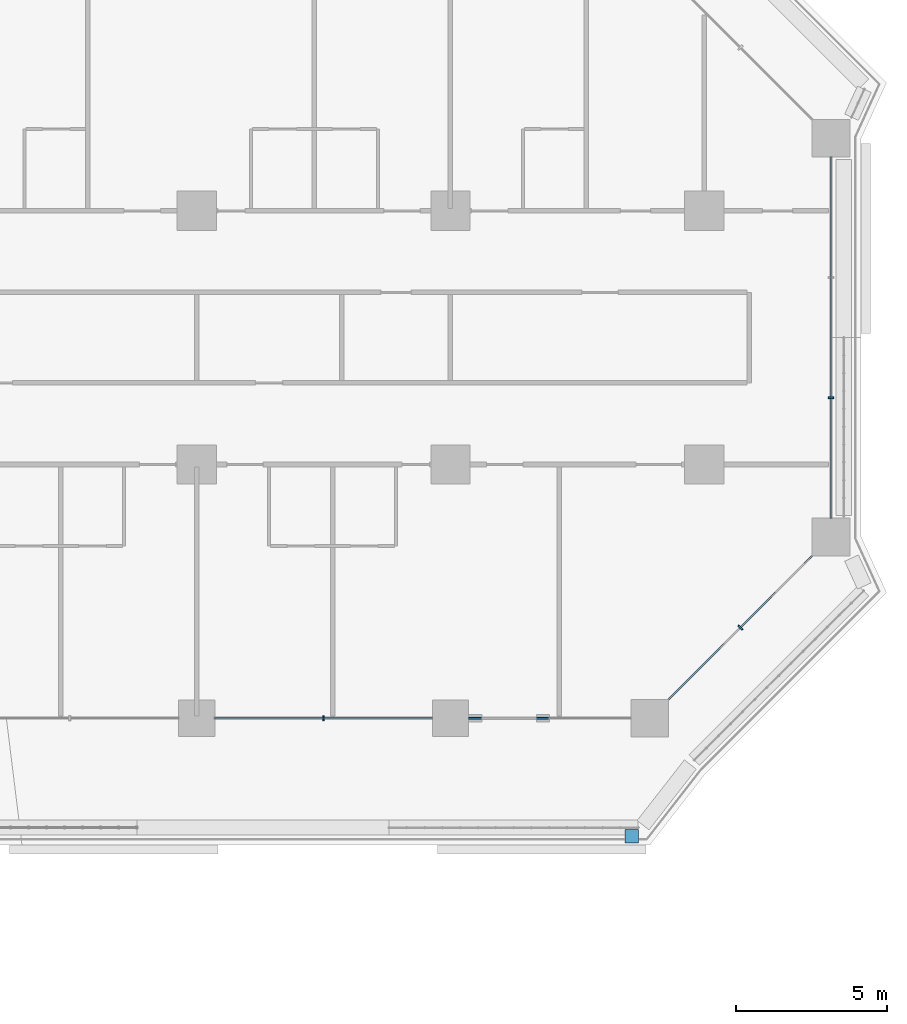
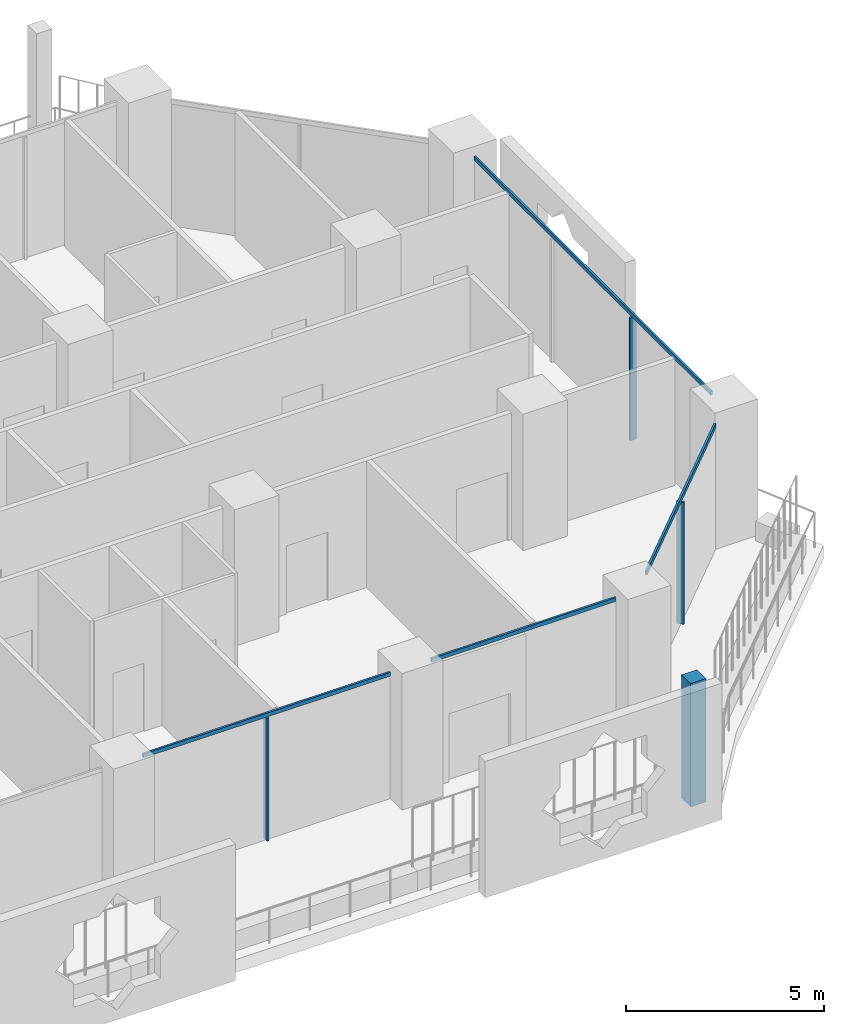
# One storey, part 7 of 28: 8 members, 4 elements without a shape of their own.
"""IFC4 building model written with IfcOpenShell, lengths in metres."""

from ifc_helpers import new_model, si_unit, direction, frame, origin, origin_2d, place, context, subcontext, project, spatial, rectangle, extrude, material, layer, layer_set, material_profile, profile_set, type_object, element, aggregate, save


model = new_model("IFC4")

# Units and contexts
model_context = context("Model", 3, precision=1e-05, world=origin(), true_north=direction((0.0, 1.0)))
body_context = subcontext(model_context, "Body", "Model", "MODEL_VIEW")
ifc_project = project(units=[si_unit("LENGTHUNIT", "METRE"), si_unit("AREAUNIT", "SQUARE_METRE"), si_unit("VOLUMEUNIT", "CUBIC_METRE"), si_unit("PLANEANGLEUNIT", "RADIAN"), si_unit("MASSUNIT", "GRAM", prefix="KILO")], contexts=[model_context])

# Site, building, storey
site_placement = place(None, origin())
site = spatial("IfcSite", under=ifc_project, at=site_placement, CompositionType="ELEMENT")
building_placement = place(site_placement, origin())
building = spatial("IfcBuilding", under=site, at=building_placement, Name="Kawkab Arch Medical Tower", CompositionType="ELEMENT")
storey_placement = place(building_placement, frame((0.0, 0.0, 77.0)))
storey = spatial("IfcBuildingStorey", under=building, at=storey_placement, Name="L17", CompositionType="ELEMENT", Elevation=77.0)

# Curtain wall, member
ifc_material_1 = material(Name="Bronze anodised aluminium curtain wall frame", Category="aluminium")
ifc_layer_1 = layer(ifc_material_1, 0.159912109375)
ifc_layer_set_1 = layer_set([ifc_layer_1], Name="Bronze anodised aluminium curtain wall frame")
curtain_wall_type_1 = type_object("IfcCurtainWallType", Name="CW1 ward curtain wall", PredefinedType="NOTDEFINED", material=ifc_layer_set_1)
placement = place(storey_placement, origin())
curtain_wall_1 = element("IfcCurtainWall", 1, at=placement, inside=storey, type_object=curtain_wall_type_1, Name="CW1 Ward curtain wall R07", PredefinedType="NOTDEFINED")
ifc_material_2 = material(Name="Bronze anodised aluminium curtain wall frame", Category="aluminium")
ifc_material_profile_1 = material_profile(ifc_material_2, rectangle(XDim=0.179931640625, YDim=0.06005859375, at=origin_2d()), Name="AL 60x180")
ifc_profile_set_1 = profile_set([ifc_material_profile_1], Name="Bronze anodised aluminium curtain wall frame")
member_type_1 = type_object("IfcMemberType", Name="CW1 mullion 60 x 180", PredefinedType="MULLION", material=ifc_profile_set_1)
member_1_placement = place(storey_placement, frame((63.0, -25.199951171875, 0.0), z_axis=(0.0, 0.0, 1.0), x_axis=(0.0, 1.0, 0.0)))
member_1 = element("IfcMember", 2, at=member_1_placement, type_object=member_type_1, Name="CW1 mullion 4.1", PredefinedType="MULLION", context=body_context, shape_type="SweptSolid", body=[
    extrude(rectangle(XDim=0.179931640625, YDim=0.06005859375, at=origin_2d()), origin(), (0.0, 0.0, 1.0), 3.780029296875),
])

curtain_wall_2 = element("IfcCurtainWall", 3, at=placement, inside=storey, type_object=curtain_wall_type_1, Name="CW1 Ward curtain wall R09", PredefinedType="NOTDEFINED")
member_2_placement = place(storey_placement, frame((79.800048828125, -14.591552734375, 0.0), z_axis=(0.0, 0.0, 1.0), x_axis=(-1.0, 0.0, 0.0)))
member_2 = element("IfcMember", 4, at=member_2_placement, type_object=member_type_1, Name="CW1 mullion 1.1", PredefinedType="MULLION", context=body_context, shape_type="SweptSolid", body=[
    extrude(rectangle(XDim=0.179931640625, YDim=0.06005859375, at=origin_2d()), origin(), (0.0, 0.0, 1.0), 3.780029296875),
])

# Member
ifc_material_3 = material(Name="Bronze anodised aluminium curtain wall frame", Category="aluminium")
ifc_material_profile_2 = material_profile(ifc_material_3, rectangle(XDim=0.06005859375, YDim=0.1201171875, at=origin_2d()), Name="AL 60x120")
ifc_profile_set_2 = profile_set([ifc_material_profile_2], Name="Bronze anodised aluminium curtain wall frame")
member_type_2 = type_object("IfcMemberType", Name="CW1 transom 120 x 60", PredefinedType="USERDEFINED", material=ifc_profile_set_2)
member_3_placement = place(storey_placement, frame((59.39990234375, -25.199951171875, 3.840087890625), z_axis=(1.0, 0.0, 0.0), x_axis=(0.0, 1.0, 0.0)))
member_3 = element("IfcMember", 5, at=member_3_placement, type_object=member_type_2, Name="CW1 transom 4", ObjectType="TRANSOM", PredefinedType="USERDEFINED", context=body_context, shape_type="SweptSolid", body=[
    extrude(rectangle(XDim=0.06005859375, YDim=0.1201171875, at=origin_2d()), origin(), (0.0, 0.0, 1.0), 7.2001953125),
])

member_4_placement = place(storey_placement, frame((67.800048828125, -25.199951171875, 3.840087890625), z_axis=(1.0, 0.0, 0.0), x_axis=(0.0, 1.0, 0.0)))
member_4 = element("IfcMember", 6, at=member_4_placement, type_object=member_type_2, Name="CW1 transom 5", ObjectType="TRANSOM", PredefinedType="USERDEFINED", context=body_context, shape_type="SweptSolid", body=[
    extrude(rectangle(XDim=0.06005859375, YDim=0.1201171875, at=origin_2d()), origin(), (0.0, 0.0, 1.0), 5.375),
])

aggregate(curtain_wall_1, [member_3, member_1, member_4])

member_5_placement = place(storey_placement, frame((79.800048828125, -18.574951171875, 3.840087890625), z_axis=(0.0, 1.0, 0.0), x_axis=(-1.0, 0.0, 0.0)))
member_5 = element("IfcMember", 7, at=member_5_placement, type_object=member_type_2, Name="CW1 transom 1", ObjectType="TRANSOM", PredefinedType="USERDEFINED", context=body_context, shape_type="SweptSolid", body=[
    extrude(rectangle(XDim=0.06005859375, YDim=0.1201171875, at=origin_2d()), origin(), (0.0, 0.0, 1.0), 11.949951171875),
])

aggregate(curtain_wall_2, [member_5, member_2])

# Curtain wall, members
ifc_material_4 = material(Name="Bronze anodised aluminium curtain wall frame", Category="aluminium")
ifc_layer_2 = layer(ifc_material_4, 0.159912109375)
ifc_layer_set_2 = layer_set([ifc_layer_2], Name="Bronze anodised aluminium curtain wall frame")
curtain_wall_type_2 = type_object("IfcCurtainWallType", Name="CW2 chamfer curtain wall", PredefinedType="NOTDEFINED", material=ifc_layer_set_2)
curtain_wall_3 = element("IfcCurtainWall", 8, at=placement, inside=storey, type_object=curtain_wall_type_2, Name="CW2 Chamfer curtain wall R08", PredefinedType="NOTDEFINED")
ifc_material_5 = material(Name="Bronze anodised aluminium curtain wall frame", Category="aluminium")
ifc_material_profile_3 = material_profile(ifc_material_5, rectangle(XDim=0.199951171875, YDim=0.06005859375, at=origin_2d()), Name="AL 60x200")
ifc_profile_set_3 = profile_set([ifc_material_profile_3], Name="Bronze anodised aluminium curtain wall frame")
member_type_3 = type_object("IfcMemberType", Name="CW2 mullion 60 x 200", PredefinedType="MULLION", material=ifc_profile_set_3)
member_6_placement = place(storey_placement, frame((76.800048828125, -22.199951171875, 0.0), z_axis=(0.0, 0.0, 1.0), x_axis=(-0.707106781187, 0.707106781187, 0.0)))
member_6 = element("IfcMember", 9, at=member_6_placement, type_object=member_type_3, Name="CW2 mullion 1.1", PredefinedType="MULLION", context=body_context, shape_type="SweptSolid", body=[
    extrude(rectangle(XDim=0.199951171875, YDim=0.06005859375, at=origin_2d()), origin(), (0.0, 0.0, 1.0), 3.760009765625),
])
ifc_material_6 = material(Name="Bronze anodised aluminium curtain wall frame", Category="aluminium")
ifc_material_profile_4 = material_profile(ifc_material_6, rectangle(XDim=0.06005859375, YDim=0.139892578125, at=origin_2d()), Name="AL 60x140")
ifc_profile_set_4 = profile_set([ifc_material_profile_4], Name="Bronze anodised aluminium curtain wall frame")
member_type_4 = type_object("IfcMemberType", Name="CW2 transom 140 x 60", PredefinedType="USERDEFINED", material=ifc_profile_set_4)
member_7_placement = place(storey_placement, frame((74.425048828125, -24.574951171875, 3.830078125), z_axis=(0.707106781187, 0.707106781187, 0.0), x_axis=(-0.707106781187, 0.707106781187, 0.0)))
member_7 = element("IfcMember", 10, at=member_7_placement, type_object=member_type_4, Name="CW2 transom 1", ObjectType="TRANSOM", PredefinedType="USERDEFINED", context=body_context, shape_type="SweptSolid", body=[
    extrude(rectangle(XDim=0.06005859375, YDim=0.139892578125, at=origin_2d()), origin(), (0.0, 0.0, 1.0), 6.717529296875),
])
aggregate(curtain_wall_3, [member_7, member_6])

# Curtain wall, member
ifc_material_7 = material(Name="Bronze anodised aluminium climber frame, planted", Category="aluminium")
ifc_layer_3 = layer(ifc_material_7, 0.449951171875)
ifc_layer_set_3 = layer_set([ifc_layer_3], Name="Bronze anodised aluminium climber frame, planted")
curtain_wall_type_3 = type_object("IfcCurtainWallType", Name="Planted climber frame", PredefinedType="NOTDEFINED", material=ifc_layer_set_3)
curtain_wall_4 = element("IfcCurtainWall", 11, at=placement, inside=storey, type_object=curtain_wall_type_3, Name="Planted climber frame L17", PredefinedType="NOTDEFINED")
ifc_material_8 = material(Name="Bronze anodised aluminium climber frame, planted", Category="aluminium")
ifc_material_profile_5 = material_profile(ifc_material_8, rectangle(XDim=0.449951171875, YDim=0.449951171875, at=origin_2d()), Name="Post 450x450")
ifc_profile_set_5 = profile_set([ifc_material_profile_5], Name="Bronze anodised aluminium climber frame, planted")
member_type_5 = type_object("IfcMemberType", Name="Planted climber post 450 x 450", PredefinedType="MULLION", material=ifc_profile_set_5)
member_8_placement = place(storey_placement, frame((73.202880859375, -29.10009765625, 0.0), z_axis=(0.0, 0.0, 1.0), x_axis=(1.0, 0.0, 0.0)))
member_8 = element("IfcMember", 12, at=member_8_placement, type_object=member_type_5, Name="Planted climber post L17.LOG-01-01.5", PredefinedType="MULLION", context=body_context, shape_type="SweptSolid", body=[
    extrude(rectangle(XDim=0.449951171875, YDim=0.449951171875, at=origin_2d()), origin(), (0.0, 0.0, 1.0), 3.800048828125),
])
aggregate(curtain_wall_4, [member_8])

save(model, "model.ifc")
